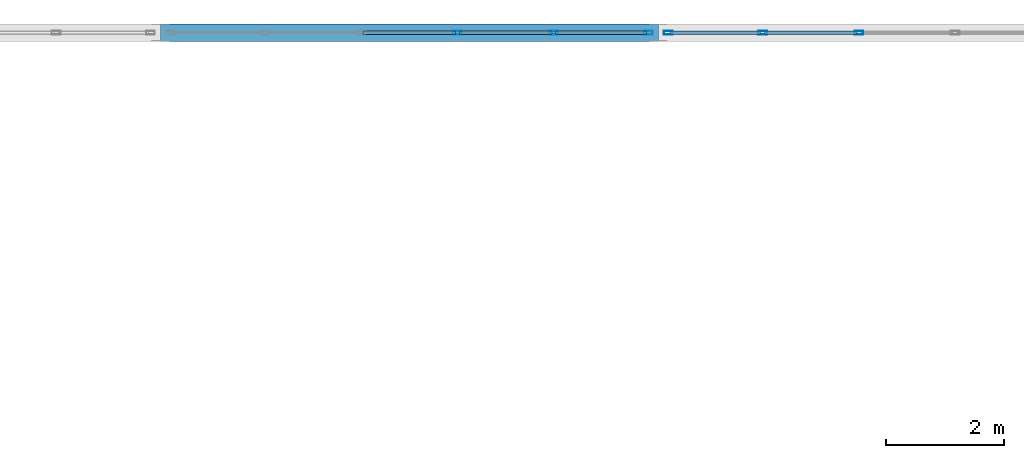
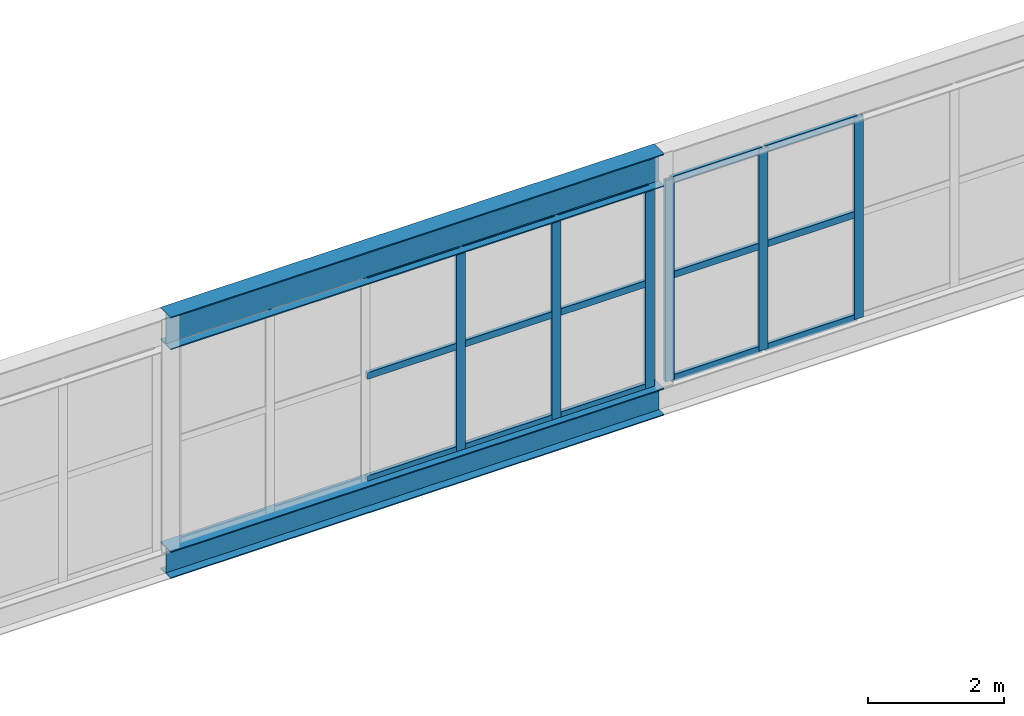
# One storey, part 164 of 218: 21 members, 2 beams, 2 elements without a shape of their own.
"""IFC4 building model written with IfcOpenShell, lengths in metres."""

from ifc_helpers import new_model, si_unit, direction, frame, origin, origin_2d, place, context, subcontext, project, spatial, hollow_rectangle, i_section, extrude, material, material_profile, profile_set, type_object, element, aggregate, save


model = new_model("IFC4")

# Units and contexts
model_context = context("Model", 3, precision=1e-05, world=origin(), true_north=direction((0.0, 1.0)))
body_context = subcontext(model_context, "Body", "Model", "MODEL_VIEW")
ifc_project = project(units=[si_unit("LENGTHUNIT", "METRE"), si_unit("AREAUNIT", "SQUARE_METRE"), si_unit("VOLUMEUNIT", "CUBIC_METRE"), si_unit("PLANEANGLEUNIT", "RADIAN"), si_unit("MASSUNIT", "GRAM", prefix="KILO")], contexts=[model_context])

# Site, building, storey
site_placement = place(None, origin())
site = spatial("IfcSite", under=ifc_project, at=site_placement, CompositionType="ELEMENT")
building_placement = place(site_placement, origin())
building = spatial("IfcBuilding", under=site, at=building_placement, Name="Kazenagashi Tramway Depot", CompositionType="ELEMENT")
storey_placement = place(building_placement, frame((0.0, 0.0, 6.0)))
storey = spatial("IfcBuildingStorey", under=building, at=storey_placement, Name="L02", CompositionType="ELEMENT", Elevation=6.0)

# Curtain wall, members
ifc_material_1 = material(Name="Anodised Aluminium and Low-E Glazing", Category="aluminium")
curtain_wall_type = type_object("IfcCurtainWallType", Name="CW-15", PredefinedType="USERDEFINED", material=ifc_material_1)
curtain_wall_1_placement = place(storey_placement, origin())
curtain_wall_1 = element("IfcCurtainWall", 1, at=curtain_wall_1_placement, inside=storey, type_object=curtain_wall_type, Name="Industrial Glazed Screen CW-15 CW-0065", ObjectType="GLAZED SCREEN", PredefinedType="USERDEFINED")
ifc_material_2 = material(Name="Anodised Aluminium", Category="aluminium")
ifc_material_profile_1 = material_profile(ifc_material_2, hollow_rectangle(XDim=0.06, YDim=0.15, WallThickness=0.004, at=origin_2d()), Name="RHS-150x60x4")
ifc_profile_set_1 = profile_set([ifc_material_profile_1], Name="Anodised Aluminium")
member_type_1 = type_object("IfcMemberType", Name="ML-01", PredefinedType="MULLION", material=ifc_profile_set_1)
member_1_placement = place(storey_placement, frame((83.412, 130.0, -0.02), z_axis=(0.0, 0.0, 1.0), x_axis=(0.0, 1.0, 0.0)))
member_1 = element("IfcMember", 2, at=member_1_placement, type_object=member_type_1, Name="CW-15 mullion 4", PredefinedType="MULLION", context=body_context, shape_type="SweptSolid", body=[
    extrude(hollow_rectangle(XDim=0.06, YDim=0.15, WallThickness=0.004, at=origin_2d()), origin(), (0.0, 0.0, 1.0), 3.632),
])
member_2_placement = place(storey_placement, frame((85.036, 130.0, -0.02), z_axis=(0.0, 0.0, 1.0), x_axis=(0.0, 1.0, 0.0)))
member_2 = element("IfcMember", 3, at=member_2_placement, type_object=member_type_1, Name="CW-15 mullion 5", PredefinedType="MULLION", context=body_context, shape_type="SweptSolid", body=[
    extrude(hollow_rectangle(XDim=0.06, YDim=0.15, WallThickness=0.004, at=origin_2d()), origin(), (0.0, 0.0, 1.0), 3.632),
])
member_3_placement = place(storey_placement, frame((86.63, 130.0, -0.02), z_axis=(0.0, 0.0, 1.0), x_axis=(0.0, 1.0, 0.0)))
member_3 = element("IfcMember", 4, at=member_3_placement, type_object=member_type_1, Name="CW-15 mullion 6", PredefinedType="MULLION", context=body_context, shape_type="SweptSolid", body=[
    extrude(hollow_rectangle(XDim=0.06, YDim=0.15, WallThickness=0.004, at=origin_2d()), origin(), (0.0, 0.0, 1.0), 3.632),
])

curtain_wall_2_placement = place(storey_placement, origin())
curtain_wall_2 = element("IfcCurtainWall", 5, at=curtain_wall_2_placement, inside=storey, type_object=curtain_wall_type, Name="Industrial Glazed Screen CW-15 CW-0068", ObjectType="GLAZED SCREEN", PredefinedType="USERDEFINED")
member_4_placement = place(storey_placement, frame((86.97, 130.0, -0.02), z_axis=(0.0, 0.0, 1.0), x_axis=(0.0, 1.0, 0.0)))
member_4 = element("IfcMember", 6, at=member_4_placement, type_object=member_type_1, Name="CW-15 mullion 1", PredefinedType="MULLION", context=body_context, shape_type="SweptSolid", body=[
    extrude(hollow_rectangle(XDim=0.06, YDim=0.15, WallThickness=0.004, at=origin_2d()), origin(), (0.0, 0.0, 1.0), 3.632),
])
member_5_placement = place(storey_placement, frame((88.564, 130.0, -0.02), z_axis=(0.0, 0.0, 1.0), x_axis=(0.0, 1.0, 0.0)))
member_5 = element("IfcMember", 7, at=member_5_placement, type_object=member_type_1, Name="CW-15 mullion 2", PredefinedType="MULLION", context=body_context, shape_type="SweptSolid", body=[
    extrude(hollow_rectangle(XDim=0.06, YDim=0.15, WallThickness=0.004, at=origin_2d()), origin(), (0.0, 0.0, 1.0), 3.632),
])
member_6_placement = place(storey_placement, frame((90.188, 130.0, -0.02), z_axis=(0.0, 0.0, 1.0), x_axis=(0.0, 1.0, 0.0)))
member_6 = element("IfcMember", 8, at=member_6_placement, type_object=member_type_1, Name="CW-15 mullion 3", PredefinedType="MULLION", context=body_context, shape_type="SweptSolid", body=[
    extrude(hollow_rectangle(XDim=0.06, YDim=0.15, WallThickness=0.004, at=origin_2d()), origin(), (0.0, 0.0, 1.0), 3.632),
])

# Beams
ifc_material_3 = material(Name="Steel SN490B", Category="steel")
ifc_material_profile_2 = material_profile(ifc_material_3, i_section(OverallWidth=0.3, OverallDepth=0.588, WebThickness=0.012, FlangeThickness=0.02, at=origin_2d()), Name="H-588x300x12x20")
ifc_profile_set_2 = profile_set([ifc_material_profile_2], Name="Steel SN490B")
beam_type_1 = type_object("IfcBeamType", Name="SP-01", PredefinedType="SPANDREL", material=ifc_profile_set_2)
beam_1_placement = place(storey_placement, frame((78.4, 130.0, 3.906), z_axis=(1.0, 0.0, 0.0), x_axis=(0.0, 1.0, 0.0)))
element("IfcBeam", 9, at=beam_1_placement, inside=storey, type_object=beam_type_1, Name="Beam SP-01 BM-1884", PredefinedType="SPANDREL", context=body_context, shape_type="SweptSolid", body=[
    extrude(i_section(OverallWidth=0.3, OverallDepth=0.588, WebThickness=0.012, FlangeThickness=0.02, at=origin_2d()), origin(), (0.0, 0.0, 1.0), 8.4),
])
ifc_material_profile_3 = material_profile(ifc_material_3, i_section(OverallWidth=0.3, OverallDepth=0.488, WebThickness=0.011, FlangeThickness=0.018, at=origin_2d()), Name="H-488x300x11x18")
ifc_profile_set_3 = profile_set([ifc_material_profile_3], Name="Steel SN490B")
beam_type_2 = type_object("IfcBeamType", Name="SP-02", PredefinedType="SPANDREL", material=ifc_profile_set_3)
beam_2_placement = place(storey_placement, frame((78.4, 130.0, -0.264), z_axis=(1.0, 0.0, 0.0), x_axis=(0.0, 1.0, 0.0)))
element("IfcBeam", 10, at=beam_2_placement, inside=storey, type_object=beam_type_2, Name="Beam SP-02 BM-1828", PredefinedType="SPANDREL", context=body_context, shape_type="SweptSolid", body=[
    extrude(i_section(OverallWidth=0.3, OverallDepth=0.488, WebThickness=0.011, FlangeThickness=0.018, at=origin_2d()), origin(), (0.0, 0.0, 1.0), 8.4),
])

# Member
ifc_material_profile_4 = material_profile(ifc_material_2, hollow_rectangle(XDim=0.06, YDim=0.12, WallThickness=0.004, at=origin_2d()), Name="RHS-120x60x4")
ifc_profile_set_4 = profile_set([ifc_material_profile_4], Name="Anodised Aluminium")
member_type_2 = type_object("IfcMemberType", Name="TR-01", PredefinedType="USERDEFINED", material=ifc_profile_set_4)
member_7_placement = place(storey_placement, frame((81.818, 130.0, 0.01), z_axis=(1.0, 0.0, 0.0), x_axis=(0.0, 1.0, 0.0)))
member_7 = element("IfcMember", 11, at=member_7_placement, type_object=member_type_2, Name="CW-15 transom 3.1", ObjectType="TRANSOM", PredefinedType="USERDEFINED", context=body_context, shape_type="SweptSolid", body=[
    extrude(hollow_rectangle(XDim=0.06, YDim=0.12, WallThickness=0.004, at=origin_2d()), origin(), (0.0, 0.0, 1.0), 1.564),
])

member_8_placement = place(storey_placement, frame((81.818, 130.0, 1.869), z_axis=(1.0, 0.0, 0.0), x_axis=(0.0, 1.0, 0.0)))
member_8 = element("IfcMember", 12, at=member_8_placement, type_object=member_type_2, Name="CW-15 transom 3.2", ObjectType="TRANSOM", PredefinedType="USERDEFINED", context=body_context, shape_type="SweptSolid", body=[
    extrude(hollow_rectangle(XDim=0.06, YDim=0.12, WallThickness=0.004, at=origin_2d()), origin(), (0.0, 0.0, 1.0), 1.564),
])

member_9_placement = place(storey_placement, frame((81.818, 130.0, 3.582), z_axis=(1.0, 0.0, 0.0), x_axis=(0.0, 1.0, 0.0)))
member_9 = element("IfcMember", 13, at=member_9_placement, type_object=member_type_2, Name="CW-15 transom 3.3", ObjectType="TRANSOM", PredefinedType="USERDEFINED", context=body_context, shape_type="SweptSolid", body=[
    extrude(hollow_rectangle(XDim=0.06, YDim=0.12, WallThickness=0.004, at=origin_2d()), origin(), (0.0, 0.0, 1.0), 1.564),
])

member_10_placement = place(storey_placement, frame((83.442, 130.0, 0.01), z_axis=(1.0, 0.0, 0.0), x_axis=(0.0, 1.0, 0.0)))
member_10 = element("IfcMember", 14, at=member_10_placement, type_object=member_type_2, Name="CW-15 transom 4.1", ObjectType="TRANSOM", PredefinedType="USERDEFINED", context=body_context, shape_type="SweptSolid", body=[
    extrude(hollow_rectangle(XDim=0.06, YDim=0.12, WallThickness=0.004, at=origin_2d()), origin(), (0.0, 0.0, 1.0), 1.564),
])

member_11_placement = place(storey_placement, frame((83.442, 130.0, 1.869), z_axis=(1.0, 0.0, 0.0), x_axis=(0.0, 1.0, 0.0)))
member_11 = element("IfcMember", 15, at=member_11_placement, type_object=member_type_2, Name="CW-15 transom 4.2", ObjectType="TRANSOM", PredefinedType="USERDEFINED", context=body_context, shape_type="SweptSolid", body=[
    extrude(hollow_rectangle(XDim=0.06, YDim=0.12, WallThickness=0.004, at=origin_2d()), origin(), (0.0, 0.0, 1.0), 1.564),
])

member_12_placement = place(storey_placement, frame((83.442, 130.0, 3.582), z_axis=(1.0, 0.0, 0.0), x_axis=(0.0, 1.0, 0.0)))
member_12 = element("IfcMember", 16, at=member_12_placement, type_object=member_type_2, Name="CW-15 transom 4.3", ObjectType="TRANSOM", PredefinedType="USERDEFINED", context=body_context, shape_type="SweptSolid", body=[
    extrude(hollow_rectangle(XDim=0.06, YDim=0.12, WallThickness=0.004, at=origin_2d()), origin(), (0.0, 0.0, 1.0), 1.564),
])

member_13_placement = place(storey_placement, frame((85.066, 130.0, 0.01), z_axis=(1.0, 0.0, 0.0), x_axis=(0.0, 1.0, 0.0)))
member_13 = element("IfcMember", 17, at=member_13_placement, type_object=member_type_2, Name="CW-15 transom 5.1", ObjectType="TRANSOM", PredefinedType="USERDEFINED", context=body_context, shape_type="SweptSolid", body=[
    extrude(hollow_rectangle(XDim=0.06, YDim=0.12, WallThickness=0.004, at=origin_2d()), origin(), (0.0, 0.0, 1.0), 1.534),
])

member_14_placement = place(storey_placement, frame((85.066, 130.0, 1.869), z_axis=(1.0, 0.0, 0.0), x_axis=(0.0, 1.0, 0.0)))
member_14 = element("IfcMember", 18, at=member_14_placement, type_object=member_type_2, Name="CW-15 transom 5.2", ObjectType="TRANSOM", PredefinedType="USERDEFINED", context=body_context, shape_type="SweptSolid", body=[
    extrude(hollow_rectangle(XDim=0.06, YDim=0.12, WallThickness=0.004, at=origin_2d()), origin(), (0.0, 0.0, 1.0), 1.534),
])

member_15_placement = place(storey_placement, frame((85.066, 130.0, 3.582), z_axis=(1.0, 0.0, 0.0), x_axis=(0.0, 1.0, 0.0)))
member_15 = element("IfcMember", 19, at=member_15_placement, type_object=member_type_2, Name="CW-15 transom 5.3", ObjectType="TRANSOM", PredefinedType="USERDEFINED", context=body_context, shape_type="SweptSolid", body=[
    extrude(hollow_rectangle(XDim=0.06, YDim=0.12, WallThickness=0.004, at=origin_2d()), origin(), (0.0, 0.0, 1.0), 1.534),
])

aggregate(curtain_wall_1, [member_1, member_2, member_3, member_7, member_8, member_9, member_10, member_11, member_12, member_13, member_14, member_15])

member_16_placement = place(storey_placement, frame((87.0, 130.0, 0.01), z_axis=(1.0, 0.0, 0.0), x_axis=(0.0, 1.0, 0.0)))
member_16 = element("IfcMember", 20, at=member_16_placement, type_object=member_type_2, Name="CW-15 transom 1.1", ObjectType="TRANSOM", PredefinedType="USERDEFINED", context=body_context, shape_type="SweptSolid", body=[
    extrude(hollow_rectangle(XDim=0.06, YDim=0.12, WallThickness=0.004, at=origin_2d()), origin(), (0.0, 0.0, 1.0), 1.534),
])

member_17_placement = place(storey_placement, frame((87.0, 130.0, 1.869), z_axis=(1.0, 0.0, 0.0), x_axis=(0.0, 1.0, 0.0)))
member_17 = element("IfcMember", 21, at=member_17_placement, type_object=member_type_2, Name="CW-15 transom 1.2", ObjectType="TRANSOM", PredefinedType="USERDEFINED", context=body_context, shape_type="SweptSolid", body=[
    extrude(hollow_rectangle(XDim=0.06, YDim=0.12, WallThickness=0.004, at=origin_2d()), origin(), (0.0, 0.0, 1.0), 1.534),
])

member_18_placement = place(storey_placement, frame((87.0, 130.0, 3.582), z_axis=(1.0, 0.0, 0.0), x_axis=(0.0, 1.0, 0.0)))
member_18 = element("IfcMember", 22, at=member_18_placement, type_object=member_type_2, Name="CW-15 transom 1.3", ObjectType="TRANSOM", PredefinedType="USERDEFINED", context=body_context, shape_type="SweptSolid", body=[
    extrude(hollow_rectangle(XDim=0.06, YDim=0.12, WallThickness=0.004, at=origin_2d()), origin(), (0.0, 0.0, 1.0), 1.534),
])

member_19_placement = place(storey_placement, frame((88.594, 130.0, 0.01), z_axis=(1.0, 0.0, 0.0), x_axis=(0.0, 1.0, 0.0)))
member_19 = element("IfcMember", 23, at=member_19_placement, type_object=member_type_2, Name="CW-15 transom 2.1", ObjectType="TRANSOM", PredefinedType="USERDEFINED", context=body_context, shape_type="SweptSolid", body=[
    extrude(hollow_rectangle(XDim=0.06, YDim=0.12, WallThickness=0.004, at=origin_2d()), origin(), (0.0, 0.0, 1.0), 1.564),
])

member_20_placement = place(storey_placement, frame((88.594, 130.0, 1.869), z_axis=(1.0, 0.0, 0.0), x_axis=(0.0, 1.0, 0.0)))
member_20 = element("IfcMember", 24, at=member_20_placement, type_object=member_type_2, Name="CW-15 transom 2.2", ObjectType="TRANSOM", PredefinedType="USERDEFINED", context=body_context, shape_type="SweptSolid", body=[
    extrude(hollow_rectangle(XDim=0.06, YDim=0.12, WallThickness=0.004, at=origin_2d()), origin(), (0.0, 0.0, 1.0), 1.564),
])

member_21_placement = place(storey_placement, frame((88.594, 130.0, 3.582), z_axis=(1.0, 0.0, 0.0), x_axis=(0.0, 1.0, 0.0)))
member_21 = element("IfcMember", 25, at=member_21_placement, type_object=member_type_2, Name="CW-15 transom 2.3", ObjectType="TRANSOM", PredefinedType="USERDEFINED", context=body_context, shape_type="SweptSolid", body=[
    extrude(hollow_rectangle(XDim=0.06, YDim=0.12, WallThickness=0.004, at=origin_2d()), origin(), (0.0, 0.0, 1.0), 1.564),
])

aggregate(curtain_wall_2, [member_4, member_5, member_6, member_16, member_17, member_18, member_19, member_20, member_21])

save(model, "model.ifc")
